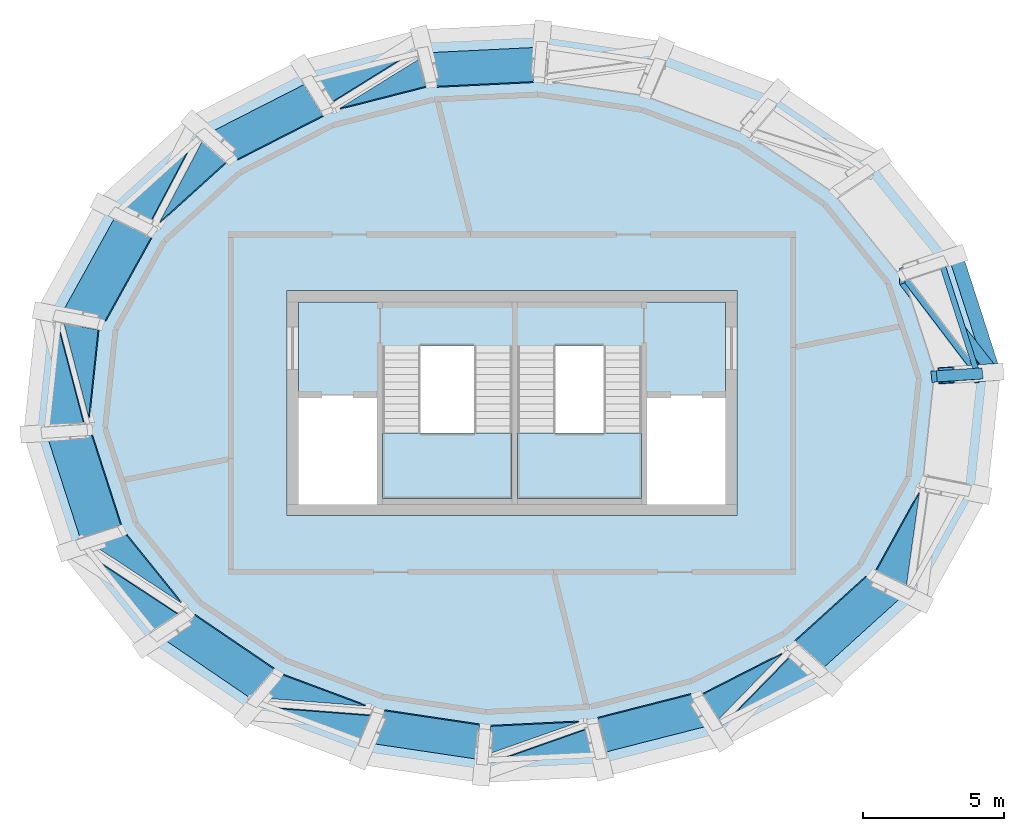
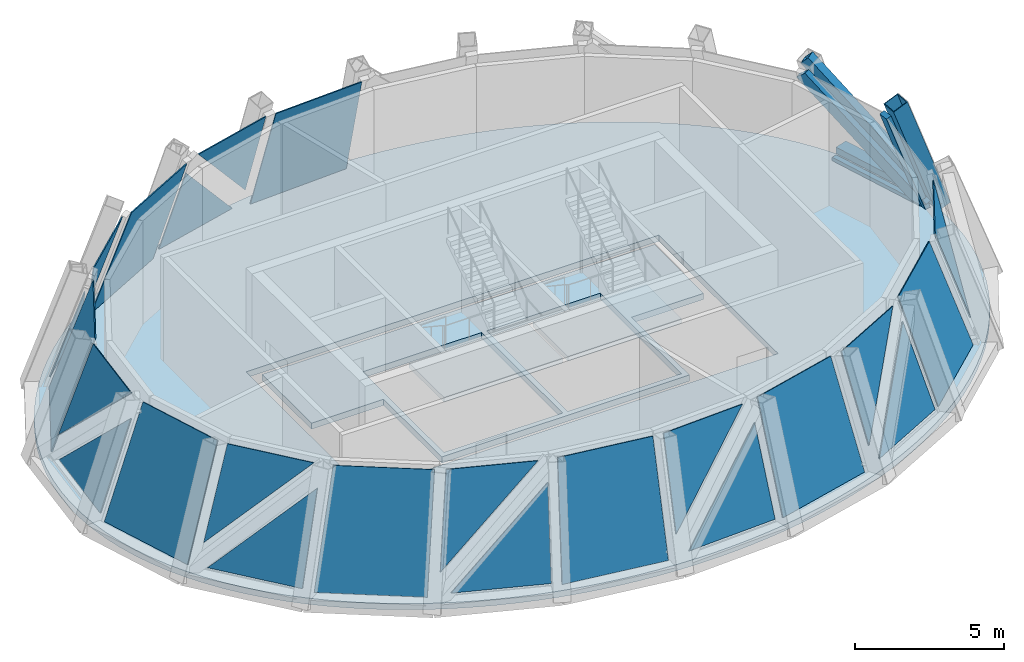
# One storey, part 3 of 6: 23 plates, 5 members, 4 slabs, 1 beam, 3 elements without a shape of their own.
"""IFC4 building model written with IfcOpenShell, lengths in metres."""

from ifc_helpers import new_model, si_unit, direction, frame, origin, origin_2d, place, context, subcontext, project, spatial, polyline, rectangle, hollow_rectangle, outline, extrude, source, transform, mapped, material, layer, layer_set, material_profile, profile_set, type_object, element, aggregate, save


model = new_model("IFC4")

# Units and contexts
model_context = context("Model", 3, precision=1e-05, world=origin(), true_north=direction((0.0, 1.0)))
body_context = subcontext(model_context, "Body", "Model", "MODEL_VIEW")
ifc_project = project(units=[si_unit("LENGTHUNIT", "METRE"), si_unit("AREAUNIT", "SQUARE_METRE"), si_unit("VOLUMEUNIT", "CUBIC_METRE"), si_unit("PLANEANGLEUNIT", "RADIAN"), si_unit("MASSUNIT", "GRAM", prefix="KILO")], contexts=[model_context])

# Site, building, storey
site_placement = place(None, origin())
site = spatial("IfcSite", under=ifc_project, at=site_placement, CompositionType="ELEMENT")
building_placement = place(site_placement, origin())
building = spatial("IfcBuilding", under=site, at=building_placement, Name="Embergate Tower", CompositionType="ELEMENT")
storey_placement = place(building_placement, frame((0.0, 0.0, 361.0)))
storey = spatial("IfcBuildingStorey", under=building, at=storey_placement, Name="L82", CompositionType="ELEMENT", Elevation=361.0)

# Beam
ifc_material_1 = material(Name="Steel Q355D", Category="steel")
ifc_material_profile_1 = material_profile(ifc_material_1, hollow_rectangle(XDim=0.5, YDim=0.5, WallThickness=0.02490234375, at=origin_2d()), Name="BOX 500x500x25")
ifc_profile_set_1 = profile_set([ifc_material_profile_1], Name="Steel Q355 grade D")
beam_type = type_object("IfcBeamType", Name="Glass point ring beam BOX 500x500x25", PredefinedType="BEAM", material=ifc_profile_set_1)
shared_shape_1 = source(origin(), body_context, "Body", "SweptSolid", [
    extrude(hollow_rectangle(XDim=0.5, YDim=0.5, WallThickness=0.02490234375, at=origin_2d()), origin(), (0.0, 0.0, 1.0), 4.3662109375),
])
beam_placement = place(storey_placement, frame((17.118896484375, 1.097900390625, 0.0), z_axis=(-0.307306631921, 0.951610547429, 0.0), x_axis=(-0.951610547429, -0.307306631921, 0.0)))
element("IfcBeam", 1, at=beam_placement, inside=storey, type_object=beam_type, Name="CRN-L82-RB00", PredefinedType="BEAM", context=body_context, shape_type="MappedRepresentation", body=[
    mapped(shared_shape_1, transform((0.0, 0.0, 0.0))),
])

# Members
ifc_material_profile_2 = material_profile(ifc_material_1, hollow_rectangle(XDim=0.60009765625, YDim=0.60009765625, WallThickness=0.028076171875, at=origin_2d()), Name="BOX 600x600x28")
ifc_profile_set_2 = profile_set([ifc_material_profile_2], Name="Steel Q355 grade D")
member_type_1 = type_object("IfcMemberType", Name="Glass point hip BOX 600x600x28", PredefinedType="MEMBER", material=ifc_profile_set_2)
shared_shape_2 = source(origin(), body_context, "Body", "SweptSolid", [
    extrude(hollow_rectangle(XDim=0.60009765625, YDim=0.60009765625, WallThickness=0.028076171875, at=origin_2d()), origin(), (0.0, 0.0, 1.0), 5.08740234375),
])
member_1_placement = place(storey_placement, frame((17.169921875, 1.10107421875, -0.14111328125), z_axis=(-0.340437413529, -0.021643258176, 0.94001805134), x_axis=(0.063446762932, -0.997985224477, 0.0)))
element("IfcMember", 2, at=member_1_placement, inside=storey, type_object=member_type_1, Name="CRN-L82-HP00", PredefinedType="MEMBER", context=body_context, shape_type="MappedRepresentation", body=[
    mapped(shared_shape_2, transform((0.0, 0.0, 0.0))),
])
ifc_material_profile_3 = material_profile(ifc_material_1, hollow_rectangle(XDim=0.39990234375, YDim=0.39990234375, WallThickness=0.02197265625, at=origin_2d()), Name="BOX 400x400x22")
ifc_profile_set_3 = profile_set([ifc_material_profile_3], Name="Steel Q355 grade D")
member_type_2 = type_object("IfcMemberType", Name="Glass point brace BOX 400x400x22", PredefinedType="BRACE", material=ifc_profile_set_3)
shared_shape_3 = source(origin(), body_context, "Body", "SweptSolid", [
    extrude(hollow_rectangle(XDim=0.39990234375, YDim=0.39990234375, WallThickness=0.02197265625, at=origin_2d()), origin(), (0.0, 0.0, 1.0), 6.758544921875),
])
member_2_placement = place(storey_placement, frame((17.18505859375, 1.012939453125, -0.10498046875), z_axis=(-0.440492315798, 0.565949902543, 0.696898290666), x_axis=(-0.789143330854, -0.614209087664, 0.0)))
element("IfcMember", 3, at=member_2_placement, inside=storey, type_object=member_type_2, Name="CRN-L82-DG00", PredefinedType="BRACE", context=body_context, shape_type="MappedRepresentation", body=[
    mapped(shared_shape_3, transform((0.0, 0.0, 0.0))),
])

# Curtain wall, members
ifc_material_2 = material(Name="Aluminium and glass", Category="aluminium")
curtain_wall_type = type_object("IfcCurtainWallType", Name="Crown facet glazing", PredefinedType="NOTDEFINED", material=ifc_material_2)
curtain_wall_placement = place(storey_placement, origin())
curtain_wall = element("IfcCurtainWall", 4, at=curtain_wall_placement, inside=storey, type_object=curtain_wall_type, Name="Crown facet glazing L82", ObjectType="CROWN FACET GLAZING", PredefinedType="USERDEFINED")
ifc_material_3 = material(Name="Aluminium, thermally broken", Category="aluminium")
ifc_material_profile_4 = material_profile(ifc_material_3, rectangle(XDim=0.199951171875, YDim=0.39990234375, at=origin_2d()), Name="AL 400x200")
ifc_profile_set_4 = profile_set([ifc_material_profile_4], Name="Aluminium, thermally broken")
member_type_3 = type_object("IfcMemberType", Name="Crown hip mullion", PredefinedType="MULLION", material=ifc_profile_set_4)
shared_shape_4 = source(origin(), body_context, "Body", "SweptSolid", [
    extrude(rectangle(XDim=0.199951171875, YDim=0.39990234375, at=origin_2d()), origin(), (0.0, 0.0, 1.0), 4.787109375),
])
member_3_placement = place(storey_placement, frame((16.64208984375, 1.048583984375, -0.173828125), z_axis=(-0.340466452318, -0.021725390756, 0.940005639474), x_axis=(0.935068949551, 0.097049726967, 0.340921413351)))
member_3 = element("IfcMember", 5, at=member_3_placement, type_object=member_type_3, Name="CW hip 1", PredefinedType="MULLION", context=body_context, shape_type="MappedRepresentation", body=[
    mapped(shared_shape_4, transform((0.0, 0.0, 0.0))),
])
ifc_material_profile_5 = material_profile(ifc_material_3, rectangle(XDim=0.199951171875, YDim=0.139892578125, at=origin_2d()), Name="AL 140x200")
ifc_profile_set_5 = profile_set([ifc_material_profile_5], Name="Aluminium, thermally broken")
member_type_4 = type_object("IfcMemberType", Name="Crown facet transom", PredefinedType="USERDEFINED", material=ifc_profile_set_5)
shared_shape_5 = source(origin(), body_context, "Body", "SweptSolid", [
    extrude(rectangle(XDim=0.199951171875, YDim=0.139892578125, at=origin_2d()), origin(), (0.0, 0.0, 1.0), 3.944580078125),
])
member_4_placement = place(storey_placement, frame((16.523193359375, 1.137939453125, 0.070068359375), z_axis=(-0.307357195632, 0.951594217245, 0.0), x_axis=(-0.951594217245, -0.307357195632, 0.0)))
member_4 = element("IfcMember", 6, at=member_4_placement, type_object=member_type_4, Name="CW transom 1.1", ObjectType="TRANSOM", PredefinedType="USERDEFINED", context=body_context, shape_type="MappedRepresentation", body=[
    mapped(shared_shape_5, transform((0.0, 0.0, 0.0))),
])
ifc_material_profile_6 = material_profile(ifc_material_3, rectangle(XDim=0.199951171875, YDim=0.760009765625, at=origin_2d()), Name="AL 760x200")
ifc_profile_set_6 = profile_set([ifc_material_profile_6], Name="Aluminium, thermally broken")
member_type_5 = type_object("IfcMemberType", Name="Crown diagonal cover mullion", PredefinedType="MULLION", material=ifc_profile_set_6)
shared_shape_6 = source(origin(), body_context, "Body", "SweptSolid", [
    extrude(rectangle(XDim=0.199951171875, YDim=0.760009765625, at=origin_2d()), origin(), (0.0, 0.0, 1.0), 6.07861328125),
])
member_5_placement = place(storey_placement, frame((16.55712890625, 1.018798828125, 0.082275390625), z_axis=(-0.440716602172, 0.579040486057, 0.685916169861), x_axis=(0.897621286202, 0.289987323305, 0.331938817977)))
member_5 = element("IfcMember", 7, at=member_5_placement, type_object=member_type_5, Name="CW diagonal mullion 1", PredefinedType="MULLION", context=body_context, shape_type="MappedRepresentation", body=[
    mapped(shared_shape_6, transform((0.0, 0.0, 0.0))),
])

# Slab
ifc_material_4 = material(Name="Concrete C50", Category="concrete")
ifc_layer_1 = layer(ifc_material_4, 0.25)
ifc_layer_set_1 = layer_set([ifc_layer_1], Name="Concrete C50")
slab_type_1 = type_object("IfcSlabType", Name="Crown floor slab C50 250", PredefinedType="FLOOR", material=ifc_layer_set_1)
shared_shape_7 = source(origin(), body_context, "Body", "SweptSolid", [
    extrude(outline(polyline([(0.0, 0.0), (0.7158203125, 0.0), (1.430908203125, 0.023193359375), (2.14697265625, 0.070068359375), (2.85888671875, 0.14013671875), (3.56689453125, 0.233154296875), (4.27587890625, 0.35107421875), (4.97802734375, 0.4912109375), (5.671875, 0.655029296875), (6.366943359375, 0.844970703125), (7.0498046875, 1.05810546875), (7.720947265625, 1.29296875), (8.392822265625, 1.55712890625), (9.048828125, 1.843994140625), (9.68701171875, 2.153076171875), (10.324951171875, 2.494140625), (10.94189453125, 2.857177734375), (11.536865234375, 3.2412109375), (12.1279296875, 3.66015625), (12.69189453125, 4.10009765625), (13.22802734375, 4.56103515625), (13.7548828125, 5.05908203125), (14.2490234375, 5.5771484375), (14.708984375, 6.113037109375), (15.14990234375, 6.68798828125), (15.552001953125, 7.280029296875), (15.914794921875, 7.88720703125), (16.246826171875, 8.529052734375), (16.533935546875, 9.18408203125), (16.77587890625, 9.85009765625), (16.974853515625, 10.5419921875), (17.1259765625, 11.2412109375), (17.226806640625, 11.945068359375), (17.27783203125, 12.6591796875), (17.27783203125, 13.375), (17.226806640625, 14.089111328125), (17.1259765625, 14.79296875), (16.974853515625, 15.4921875), (16.77587890625, 16.18408203125), (16.533935546875, 16.85009765625), (16.246826171875, 17.505126953125), (15.914794921875, 18.14697265625), (15.552001953125, 18.754150390625), (15.14990234375, 19.34619140625), (14.708984375, 19.921142578125), (14.2490234375, 20.45703125), (13.7548828125, 20.97509765625), (13.22802734375, 21.47314453125), (12.69189453125, 21.93408203125), (12.1279296875, 22.3740234375), (11.536865234375, 22.79296875), (10.94189453125, 23.177001953125), (10.324951171875, 23.5400390625), (9.68701171875, 23.881103515625), (9.048828125, 24.190185546875), (8.392822265625, 24.47705078125), (7.720947265625, 24.7412109375), (7.0498046875, 24.97607421875), (6.366943359375, 25.189208984375), (5.671875, 25.379150390625), (4.97802734375, 25.54296875), (4.27587890625, 25.68310546875), (3.56689453125, 25.801025390625), (2.85888671875, 25.89404296875), (2.14697265625, 25.964111328125), (1.430908203125, 26.010986328125), (0.7158203125, 26.0341796875), (0.0, 26.0341796875), (-0.715087890625, 26.010986328125), (-1.43115234375, 25.964111328125), (-2.14306640625, 25.89404296875), (-2.85107421875, 25.801025390625), (-3.56005859375, 25.68310546875), (-4.26220703125, 25.54296875), (-4.9560546875, 25.379150390625), (-5.651123046875, 25.189208984375), (-6.333984375, 24.97607421875), (-7.005126953125, 24.7412109375), (-7.677001953125, 24.47705078125), (-8.3330078125, 24.190185546875), (-8.97119140625, 23.881103515625), (-9.609130859375, 23.5400390625), (-10.22607421875, 23.177001953125), (-10.821044921875, 22.79296875), (-11.412109375, 22.3740234375), (-11.97607421875, 21.93408203125), (-12.51220703125, 21.47314453125), (-13.0390625, 20.97509765625), (-13.533203125, 20.45703125), (-13.9931640625, 19.921142578125), (-14.43408203125, 19.34619140625), (-14.836181640625, 18.754150390625), (-15.198974609375, 18.14697265625), (-15.531005859375, 17.505126953125), (-15.818115234375, 16.85009765625), (-16.06005859375, 16.18408203125), (-16.259033203125, 15.4921875), (-16.41015625, 14.79296875), (-16.510986328125, 14.089111328125), (-16.56201171875, 13.375), (-16.56201171875, 12.6591796875), (-16.510986328125, 11.945068359375), (-16.41015625, 11.2412109375), (-16.259033203125, 10.5419921875), (-16.06005859375, 9.85009765625), (-15.818115234375, 9.18408203125), (-15.531005859375, 8.529052734375), (-15.198974609375, 7.88720703125), (-14.836181640625, 7.280029296875), (-14.43408203125, 6.68798828125), (-13.9931640625, 6.113037109375), (-13.533203125, 5.5771484375), (-13.0390625, 5.05908203125), (-12.51220703125, 4.56103515625), (-11.97607421875, 4.10009765625), (-11.412109375, 3.66015625), (-10.821044921875, 3.2412109375), (-10.22607421875, 2.857177734375), (-9.609130859375, 2.494140625), (-8.97119140625, 2.153076171875), (-8.3330078125, 1.843994140625), (-7.677001953125, 1.55712890625), (-7.005126953125, 1.29296875), (-6.333984375, 1.05810546875), (-5.651123046875, 0.844970703125), (-4.9560546875, 0.655029296875), (-4.26220703125, 0.4912109375), (-3.56005859375, 0.35107421875), (-2.85107421875, 0.233154296875), (-2.14306640625, 0.14013671875), (-1.43115234375, 0.070068359375), (-0.715087890625, 0.023193359375), (0.0, 0.0)]), holes=[polyline([(-7.64208984375, 9.01708984375), (-7.64208984375, 17.01708984375), (8.35791015625, 17.01708984375), (8.35791015625, 9.01708984375), (-7.64208984375, 9.01708984375)])]), origin(), (0.0, 0.0, 1.0), 0.25),
])
slab_1_placement = place(storey_placement, frame((-0.35791015625, -13.01708984375, -0.25)))
element("IfcSlab", 8, at=slab_1_placement, inside=storey, type_object=slab_type_1, Name="SLB-L82-00", PredefinedType="FLOOR", context=body_context, shape_type="MappedRepresentation", body=[
    mapped(shared_shape_7, transform((0.0, 0.0, 0.0))),
])

# Plate
ifc_material_5 = material(Name="Triple glazing, low-emissivity coating", Category="glass")
ifc_layer_2 = layer(ifc_material_5, 0.0400390625)
ifc_layer_set_2 = layer_set([ifc_layer_2], Name="Triple glazing, low-emissivity coating")
plate_type = type_object("IfcPlateType", Name="Crown facet glazing unit", PredefinedType="CURTAIN_PANEL", material=ifc_layer_set_2)
shared_shape_8 = source(origin(), body_context, "Body", "SweptSolid", [
    extrude(outline(polyline([(0.0, 0.0), (3.82958984375, 0.0), (3.59130859375, 4.4921875), (0.158447265625, 4.492431640625), (0.0, 0.0)])), origin(), (0.0, 0.0, -1.0), 0.0400390625),
])
plate_1_placement = place(storey_placement, frame((0.862548828125, 12.652099609375, 0.003173828125), z_axis=(-0.047316917826, 0.96205628237, 0.26871698651), x_axis=(-0.998792825412, -0.049121195247, -9.093433e-06)))
plate_1 = element("IfcPlate", 9, at=plate_1_placement, type_object=plate_type, Name="CW panel 6.1", PredefinedType="CURTAIN_PANEL", context=body_context, shape_type="MappedRepresentation", body=[
    mapped(shared_shape_8, transform((0.0, 0.0, 0.0))),
])

shared_shape_9 = source(origin(), body_context, "Body", "SweptSolid", [
    extrude(outline(polyline([(0.0, 0.0), (3.437255859375, 0.0), (3.124267578125, 3.603271484375), (0.0, 0.0)])), origin(), (0.0, 0.0, -1.0), 0.0400390625),
])
plate_2_placement = place(storey_placement, frame((-3.72412109375, 12.378662109375, 0.150390625), z_axis=(-0.237825327781, 0.932034795056, 0.273404927299), x_axis=(-0.968952837121, -0.247245625716, 0.0)))
plate_2 = element("IfcPlate", 10, at=plate_2_placement, type_object=plate_type, Name="CW panel 7.1", PredefinedType="CURTAIN_PANEL", context=body_context, shape_type="MappedRepresentation", body=[
    mapped(shared_shape_9, transform((0.0, 0.0, 0.0))),
])

shared_shape_10 = source(origin(), body_context, "Body", "SweptSolid", [
    extrude(outline(polyline([(0.0, 0.0), (4.835205078125, 0.0), (2.763671875, 2.388916015625), (0.0, 0.0)])), origin(), (0.0, 0.0, -1.0), 0.0400390625),
])
plate_3_placement = place(storey_placement, frame((-3.299560546875, 12.239501953125, 0.830078125), z_axis=(-0.237886763607, 0.932014048239, 0.273422203899), x_axis=(-0.583686557833, -0.362178518974, 0.726730158036)))
plate_3 = element("IfcPlate", 11, at=plate_3_placement, type_object=plate_type, Name="CW panel 7.2", PredefinedType="CURTAIN_PANEL", context=body_context, shape_type="MappedRepresentation", body=[
    mapped(shared_shape_10, transform((0.0, 0.0, 0.0))),
])

shared_shape_11 = source(origin(), body_context, "Body", "SweptSolid", [
    extrude(outline(polyline([(0.0, 0.0), (3.814208984375, 0.0), (3.3076171875, 4.505859375), (-0.10986328125, 4.505859375), (0.0, 0.0)])), origin(), (0.0, 0.0, -1.0), 0.0400390625),
])
plate_4_placement = place(storey_placement, frame((-7.40576171875, 11.32666015625, 0.002197265625), z_axis=(-0.435865590943, 0.853738660648, 0.284870998781), x_axis=(-0.890640825362, -0.454707510565, 5.937395e-06)))
plate_4 = element("IfcPlate", 12, at=plate_4_placement, type_object=plate_type, Name="CW panel 8.1", PredefinedType="CURTAIN_PANEL", context=body_context, shape_type="MappedRepresentation", body=[
    mapped(shared_shape_11, transform((0.0, 0.0, 0.0))),
])

shared_shape_12 = source(origin(), body_context, "Body", "SweptSolid", [
    extrude(outline(polyline([(0.0, 0.0), (3.4306640625, 0.0), (2.991455078125, 3.60791015625), (0.0, 0.0)])), origin(), (0.0, 0.0, -1.0), 0.0400390625),
])
plate_5_placement = place(storey_placement, frame((-11.416259765625, 9.188720703125, 0.151611328125), z_axis=(-0.639828687906, 0.706436529687, 0.302599867243), x_axis=(-0.741184998704, -0.671300825038, 0.0)))
plate_5 = element("IfcPlate", 13, at=plate_5_placement, type_object=plate_type, Name="CW panel 9.1", PredefinedType="CURTAIN_PANEL", context=body_context, shape_type="MappedRepresentation", body=[
    mapped(shared_shape_12, transform((0.0, 0.0, 0.0))),
])

shared_shape_13 = source(origin(), body_context, "Body", "SweptSolid", [
    extrude(outline(polyline([(0.0, 0.0), (4.768310546875, 0.0), (2.745849609375, 2.43896484375), (0.0, 0.0)])), origin(), (0.0, 0.0, -1.0), 0.0400390625),
])
plate_6_placement = place(storey_placement, frame((-11.016357421875, 9.31201171875, 0.8583984375), z_axis=(-0.639835159568, 0.706447933871, 0.302559556633), x_axis=(-0.316734255869, -0.601108982202, 0.733721611155)))
plate_6 = element("IfcPlate", 14, at=plate_6_placement, type_object=plate_type, Name="CW panel 9.2", PredefinedType="CURTAIN_PANEL", context=body_context, shape_type="MappedRepresentation", body=[
    mapped(shared_shape_13, transform((0.0, 0.0, 0.0))),
])

shared_shape_14 = source(origin(), body_context, "Body", "SweptSolid", [
    extrude(outline(polyline([(0.0, 0.0), (3.774169921875, 0.0), (3.29931640625, 4.54443359375), (-0.077392578125, 4.544677734375), (0.0, 0.0)])), origin(), (0.0, 0.0, -1.0), 0.0400390625),
])
plate_7_placement = place(storey_placement, frame((-14.160888671875, 6.537109375, -0.00048828125), z_axis=(-0.828144654, 0.457820563669, 0.323383307445), x_axis=(-0.483815985987, -0.875169750215, 3.358351e-06)))
plate_7 = element("IfcPlate", 15, at=plate_7_placement, type_object=plate_type, Name="CW panel 10.1", PredefinedType="CURTAIN_PANEL", context=body_context, shape_type="MappedRepresentation", body=[
    mapped(shared_shape_14, transform((0.0, 0.0, 0.0))),
])

shared_shape_15 = source(origin(), body_context, "Body", "SweptSolid", [
    extrude(outline(polyline([(0.0, 0.0), (3.4091796875, 0.0), (3.201171875, 3.60400390625), (0.0, 0.0)])), origin(), (0.0, 0.0, -1.0), 0.0400390625),
])
plate_8_placement = place(storey_placement, frame((-16.09130859375, 2.5400390625, 0.117919921875), z_axis=(-0.93626403526, 0.09965420165, 0.336865991712), x_axis=(-0.105840291202, -0.994383141831, 0.0)))
plate_8 = element("IfcPlate", 16, at=plate_8_placement, type_object=plate_type, Name="CW panel 11.1", PredefinedType="CURTAIN_PANEL", context=body_context, shape_type="MappedRepresentation", body=[
    mapped(shared_shape_15, transform((0.0, 0.0, 0.0))),
])

shared_shape_16 = source(origin(), body_context, "Body", "SweptSolid", [
    extrude(outline(polyline([(0.0, 0.0), (4.882568359375, 0.0), (2.7998046875, 2.344482421875), (0.0, 0.0)])), origin(), (0.0, 0.0, -1.0), 0.0400390625),
])
plate_9_placement = place(storey_placement, frame((-15.936279296875, 2.8408203125, 0.906005859375), z_axis=(-0.936283494214, 0.099543802172, 0.336844548586), x_axis=(0.180207546349, -0.687028769932, 0.703929477664)))
plate_9 = element("IfcPlate", 17, at=plate_9_placement, type_object=plate_type, Name="CW panel 11.2", PredefinedType="CURTAIN_PANEL", context=body_context, shape_type="MappedRepresentation", body=[
    mapped(shared_shape_16, transform((0.0, 0.0, 0.0))),
])

shared_shape_17 = source(origin(), body_context, "Body", "SweptSolid", [
    extrude(outline(polyline([(0.0, 0.0), (3.7646484375, 0.0), (3.75146484375, 4.5546875), (0.3837890625, 4.554443359375), (0.0, 0.0)])), origin(), (0.0, 0.0, -1.0), 0.0400390625),
])
plate_10_placement = place(storey_placement, frame((-16.511474609375, -1.233154296875, 0.018798828125), z_axis=(-0.897654982724, -0.289960425687, 0.331871185141), x_axis=(0.307383479295, -0.951585727413, 6.35547e-06)))
plate_10 = element("IfcPlate", 18, at=plate_10_placement, type_object=plate_type, Name="CW panel 12.1", PredefinedType="CURTAIN_PANEL", context=body_context, shape_type="MappedRepresentation", body=[
    mapped(shared_shape_17, transform((0.0, 0.0, 0.0))),
])

shared_shape_18 = source(origin(), body_context, "Body", "SweptSolid", [
    extrude(outline(polyline([(0.0, 0.0), (3.4072265625, 0.0), (3.513427734375, 3.587890625), (0.0, 0.0)])), origin(), (0.0, 0.0, -1.0), 0.0400390625),
])
plate_11_placement = place(storey_placement, frame((-14.964599609375, -5.484619140625, 0.166259765625), z_axis=(-0.738848210039, -0.596754163565, 0.313030015798), x_axis=(0.628332103497, -0.777945221538, 0.0)))
plate_11 = element("IfcPlate", 19, at=plate_11_placement, type_object=plate_type, Name="CW panel 13.1", PredefinedType="CURTAIN_PANEL", context=body_context, shape_type="MappedRepresentation", body=[
    mapped(shared_shape_18, transform((0.0, 0.0, 0.0))),
])

shared_shape_19 = source(origin(), body_context, "Body", "SweptSolid", [
    extrude(outline(polyline([(0.0, 0.0), (5.046630859375, 0.0), (2.8720703125, 2.220703125), (0.0, 0.0)])), origin(), (0.0, 0.0, -1.0), 0.0400390625),
])
plate_12_placement = place(storey_placement, frame((-14.873779296875, -5.06103515625, 0.89990234375), z_axis=(-0.73885175369, -0.596736185154, 0.313055923755), x_axis=(0.613608923429, -0.4037511885, 0.67857871089)))
plate_12 = element("IfcPlate", 20, at=plate_12_placement, type_object=plate_type, Name="CW panel 13.2", PredefinedType="CURTAIN_PANEL", context=body_context, shape_type="MappedRepresentation", body=[
    mapped(shared_shape_19, transform((0.0, 0.0, 0.0))),
])

shared_shape_20 = source(origin(), body_context, "Body", "SweptSolid", [
    extrude(outline(polyline([(0.0, 0.0), (3.806640625, 0.0), (3.9501953125, 4.51318359375), (0.541259765625, 4.513427734375), (0.0, 0.0)])), origin(), (0.0, 0.0, -1.0), 0.0400390625),
])
plate_13_placement = place(storey_placement, frame((-12.4765625, -8.333984375, 0.005859375), z_axis=(-0.537561446863, -0.790686183584, 0.292989846132), x_axis=(0.826975605543, -0.562237803511, -1.1809586e-05)))
plate_13 = element("IfcPlate", 21, at=plate_13_placement, type_object=plate_type, Name="CW panel 14.1", PredefinedType="CURTAIN_PANEL", context=body_context, shape_type="MappedRepresentation", body=[
    mapped(shared_shape_20, transform((0.0, 0.0, 0.0))),
])

shared_shape_21 = source(origin(), body_context, "Body", "SweptSolid", [
    extrude(outline(polyline([(0.0, 0.0), (3.417236328125, 0.0), (3.462890625, 3.58447265625), (0.0, 0.0)])), origin(), (0.0, 0.0, -1.0), 0.0400390625),
])
plate_14_placement = place(storey_placement, frame((-8.6259765625, -10.8408203125, 0.150634765625), z_axis=(-0.335814886664, -0.89985215033, 0.278378284786), x_axis=(0.936885828006, -0.349635446261, 0.0)))
plate_14 = element("IfcPlate", 22, at=plate_14_placement, type_object=plate_type, Name="CW panel 15.1", PredefinedType="CURTAIN_PANEL", context=body_context, shape_type="MappedRepresentation", body=[
    mapped(shared_shape_21, transform((0.0, 0.0, 0.0))),
])

shared_shape_22 = source(origin(), body_context, "Body", "SweptSolid", [
    extrude(outline(polyline([(0.0, 0.0), (5.02734375, 0.0), (2.854248046875, 2.24951171875), (0.0, 0.0)])), origin(), (0.0, 0.0, -1.0), 0.0400390625),
])
plate_15_placement = place(storey_placement, frame((-8.832763671875, -10.491455078125, 0.868896484375), z_axis=(-0.335736641676, -0.899921150076, 0.278249584154), x_axis=(0.720916315803, -0.055361711015, 0.690807315076)))
plate_15 = element("IfcPlate", 23, at=plate_15_placement, type_object=plate_type, Name="CW panel 15.2", PredefinedType="CURTAIN_PANEL", context=body_context, shape_type="MappedRepresentation", body=[
    mapped(shared_shape_22, transform((0.0, 0.0, 0.0))),
])

shared_shape_23 = source(origin(), body_context, "Body", "SweptSolid", [
    extrude(outline(polyline([(0.0, 0.0), (3.82958984375, 0.0), (3.748291015625, 4.493408203125), (0.31640625, 4.493408203125), (0.0, 0.0)])), origin(), (0.0, 0.0, -1.0), 0.0400390625),
])
plate_16_placement = place(storey_placement, frame((-5.03662109375, -12.0966796875, 0.01123046875), z_axis=(-0.142042176085, -0.952245828142, 0.270281155463), x_axis=(0.989057215576, -0.14753245172, 2.506673e-06)))
plate_16 = element("IfcPlate", 24, at=plate_16_placement, type_object=plate_type, Name="CW panel 16.1", PredefinedType="CURTAIN_PANEL", context=body_context, shape_type="MappedRepresentation", body=[
    mapped(shared_shape_23, transform((0.0, 0.0, 0.0))),
])

shared_shape_24 = source(origin(), body_context, "Body", "SweptSolid", [
    extrude(outline(polyline([(0.0, 0.0), (3.431640625, 0.0), (3.24072265625, 3.5966796875), (0.0, 0.0)])), origin(), (0.0, 0.0, -1.0), 0.0400390625),
])
plate_17_placement = place(storey_placement, frame((-0.46826171875, -12.70068359375, 0.150146484375), z_axis=(0.047286433272, -0.962107589431, 0.268538599809), x_axis=(0.998794381524, 0.049089545071, 0.0)))
plate_17 = element("IfcPlate", 25, at=plate_17_placement, type_object=plate_type, Name="CW panel 17.1", PredefinedType="CURTAIN_PANEL", context=body_context, shape_type="MappedRepresentation", body=[
    mapped(shared_shape_24, transform((0.0, 0.0, 0.0))),
])

shared_shape_25 = source(origin(), body_context, "Body", "SweptSolid", [
    extrude(outline(polyline([(0.0, 0.0), (4.900390625, 0.0), (2.790771484375, 2.341552734375), (0.0, 0.0)])), origin(), (0.0, 0.0, -1.0), 0.0400390625),
])
plate_18_placement = place(storey_placement, frame((-0.8408203125, -12.479736328125, 0.839599609375), z_axis=(0.047155771187, -0.962067268493, 0.268705980839), x_axis=(0.658776238561, 0.232163447908, 0.715621408961)))
plate_18 = element("IfcPlate", 26, at=plate_18_placement, type_object=plate_type, Name="CW panel 17.2", PredefinedType="CURTAIN_PANEL", context=body_context, shape_type="MappedRepresentation", body=[
    mapped(shared_shape_25, transform((0.0, 0.0, 0.0))),
])

shared_shape_26 = source(origin(), body_context, "Body", "SweptSolid", [
    extrude(outline(polyline([(0.0, 0.0), (3.826416015625, 0.0), (3.435791015625, 4.49658203125), (0.007080078125, 4.49609375), (0.0, 0.0)])), origin(), (0.0, 0.0, -1.0), 0.0400390625),
])
plate_19_placement = place(storey_placement, frame((3.3408203125, -12.406982421875, 0.002685546875), z_axis=(0.237772500369, -0.932062687707, 0.273355783281), x_axis=(0.968968059054, 0.247185963429, -4.187736e-06)))
plate_19 = element("IfcPlate", 27, at=plate_19_placement, type_object=plate_type, Name="CW panel 18.1", PredefinedType="CURTAIN_PANEL", context=body_context, shape_type="MappedRepresentation", body=[
    mapped(shared_shape_26, transform((0.0, 0.0, 0.0))),
])

shared_shape_27 = source(origin(), body_context, "Body", "SweptSolid", [
    extrude(outline(polyline([(0.0, 0.0), (3.436767578125, 0.0), (3.03125, 3.607177734375), (0.0, 0.0)])), origin(), (0.0, 0.0, -1.0), 0.0400390625),
])
plate_20_placement = place(storey_placement, frame((7.759033203125, -11.219482421875, 0.15087890625), z_axis=(0.435810482789, -0.853779973938, 0.284831492629), x_axis=(0.890673818524, 0.454642880727, 0.0)))
plate_20 = element("IfcPlate", 28, at=plate_20_placement, type_object=plate_type, Name="CW panel 19.1", PredefinedType="CURTAIN_PANEL", context=body_context, shape_type="MappedRepresentation", body=[
    mapped(shared_shape_27, transform((0.0, 0.0, 0.0))),
])

shared_shape_28 = source(origin(), body_context, "Body", "SweptSolid", [
    extrude(outline(polyline([(0.0, 0.0), (4.785400390625, 0.0), (2.74755859375, 2.42529296875), (0.0, 0.0)])), origin(), (0.0, 0.0, -1.0), 0.0400390625),
])
plate_21_placement = place(storey_placement, frame((7.343505859375, -11.250244140625, 0.85205078125), z_axis=(0.435794435688, -0.853784758984, 0.284841701914), x_axis=(0.473848707888, 0.486705068179, 0.733883899975)))
plate_21 = element("IfcPlate", 29, at=plate_21_placement, type_object=plate_type, Name="CW panel 19.2", PredefinedType="CURTAIN_PANEL", context=body_context, shape_type="MappedRepresentation", body=[
    mapped(shared_shape_28, transform((0.0, 0.0, 0.0))),
])

shared_shape_29 = source(origin(), body_context, "Body", "SweptSolid", [
    extrude(outline(polyline([(0.0, 0.0), (3.7958984375, 0.0), (3.245361328125, 4.5224609375), (-0.15380859375, 4.5224609375), (0.0, 0.0)])), origin(), (0.0, 0.0, -1.0), 0.0400390625),
])
plate_22_placement = place(storey_placement, frame((11.114990234375, -9.377685546875, 0.0009765625), z_axis=(0.639846891475, -0.706434950587, 0.302565060869), x_axis=(0.741174034189, 0.671312930781, 3.355535e-06)))
plate_22 = element("IfcPlate", 30, at=plate_22_placement, type_object=plate_type, Name="CW panel 20.1", PredefinedType="CURTAIN_PANEL", context=body_context, shape_type="MappedRepresentation", body=[
    mapped(shared_shape_29, transform((0.0, 0.0, 0.0))),
])

shared_shape_30 = source(origin(), body_context, "Body", "SweptSolid", [
    extrude(outline(polyline([(0.0, 0.0), (4.799560546875, 0.0), (2.762939453125, 2.41357421875), (0.0, 0.0)])), origin(), (0.0, 0.0, -1.0), 0.0400390625),
])
plate_23_placement = place(storey_placement, frame((14.02978515625, -6.481689453125, 0.87744140625), z_axis=(0.828118733885, -0.457879430688, 0.323366339532), x_axis=(0.095784661687, 0.683972682445, 0.723191999578)))
plate_23 = element("IfcPlate", 31, at=plate_23_placement, type_object=plate_type, Name="CW panel 21.2", PredefinedType="CURTAIN_PANEL", context=body_context, shape_type="MappedRepresentation", body=[
    mapped(shared_shape_30, transform((0.0, 0.0, 0.0))),
])

aggregate(curtain_wall, [member_3, member_4, member_5, plate_1, plate_2, plate_3, plate_4, plate_5, plate_6, plate_7, plate_8, plate_9, plate_10, plate_11, plate_12, plate_13, plate_14, plate_15, plate_16, plate_17, plate_18, plate_19, plate_20, plate_21, plate_22, plate_23])

# Stair, slab
ifc_material_6 = material(Name="Exit stair")
stair_type = type_object("IfcStairType", Name="Exit stair", PredefinedType="HALF_TURN_STAIR", material=ifc_material_6)
stair_1_placement = place(storey_placement, origin())
stair_1 = element("IfcStair", 32, at=stair_1_placement, inside=storey, type_object=stair_type, Name="L82 Exit stair 1", PredefinedType="HALF_TURN_STAIR")
ifc_material_7 = material(Name="Concrete C40", Category="concrete")
ifc_layer_3 = layer(ifc_material_7, 0.199951171875)
ifc_layer_set_3 = layer_set([ifc_layer_3], Name="Concrete C40")
slab_type_2 = type_object("IfcSlabType", Name="Stair landing reinforced concrete", PredefinedType="LANDING", material=ifc_layer_set_3)
shared_shape_31 = source(origin(), body_context, "Body", "SweptSolid", [
    extrude(outline(polyline([(0.0, 0.0), (4.400146484375, 0.0), (4.400146484375, 2.329833984375), (0.0, 2.329833984375), (0.0, 0.0)])), origin(), (0.0, 0.0, 1.0), 0.199951171875),
])
slab_2_placement = place(storey_placement, frame((0.199951171875, -3.39990234375, 2.050048828125)))
slab_2 = element("IfcSlab", 33, at=slab_2_placement, type_object=slab_type_2, Name="ST1 landing 1", PredefinedType="LANDING", context=body_context, shape_type="MappedRepresentation", body=[
    mapped(shared_shape_31, transform((0.0, 0.0, 0.0))),
])
aggregate(stair_1, [slab_2])

stair_2_placement = place(storey_placement, origin())
stair_2 = element("IfcStair", 34, at=stair_2_placement, inside=storey, type_object=stair_type, Name="L82 Exit stair 3", PredefinedType="HALF_TURN_STAIR")
shared_shape_32 = source(origin(), body_context, "Body", "SweptSolid", [
    extrude(outline(polyline([(0.0, 0.0), (4.60009765625, 0.0), (4.60009765625, 2.329833984375), (0.0, 2.329833984375), (0.0, 0.0)])), origin(), (0.0, 0.0, 1.0), 0.199951171875),
])
slab_3_placement = place(storey_placement, frame((-4.60009765625, -3.39990234375, 2.050048828125)))
slab_3 = element("IfcSlab", 35, at=slab_3_placement, type_object=slab_type_2, Name="ST3 landing 1", PredefinedType="LANDING", context=body_context, shape_type="MappedRepresentation", body=[
    mapped(shared_shape_32, transform((0.0, 0.0, 0.0))),
])
aggregate(stair_2, [slab_3])

# Slab
ifc_layer_4 = layer(ifc_material_7, 0.25)
ifc_layer_set_4 = layer_set([ifc_layer_4], Name="Concrete C40")
slab_type_3 = type_object("IfcSlabType", Name="Core floor slab 250 reinforced concrete", PredefinedType="FLOOR", material=ifc_layer_set_4)
shared_shape_33 = source(origin(), body_context, "Body", "SweptSolid", [
    extrude(outline(polyline([(0.0, 0.0), (9.60009765625, 0.0), (9.60009765625, 3.900146484375), (12.400146484375, 3.900146484375), (12.400146484375, 7.2001953125), (-2.800048828125, 7.2001953125), (-2.800048828125, 3.900146484375), (0.0, 3.900146484375), (0.0, 0.0)]), holes=[polyline([(0.199951171875, 0.2001953125), (0.199951171875, 5.64013671875), (4.800048828125, 5.64013671875), (4.800048828125, 0.2001953125), (0.199951171875, 0.2001953125)]), polyline([(5.0, 0.2001953125), (5.0, 5.64013671875), (9.400146484375, 5.64013671875), (9.400146484375, 0.2001953125), (5.0, 0.2001953125)])]), origin(), (0.0, 0.0, 1.0), 0.25),
])
slab_4_placement = place(storey_placement, frame((-4.800048828125, -3.60009765625, -0.25)))
element("IfcSlab", 36, at=slab_4_placement, inside=storey, type_object=slab_type_3, Name="Core floor slab", PredefinedType="FLOOR", context=body_context, shape_type="MappedRepresentation", body=[
    mapped(shared_shape_33, transform((0.0, 0.0, 0.0))),
])

save(model, "model.ifc")
